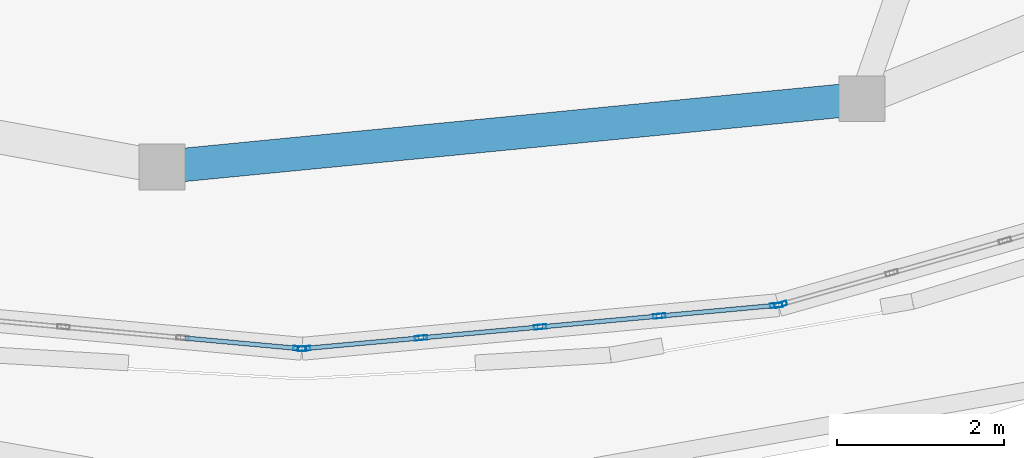
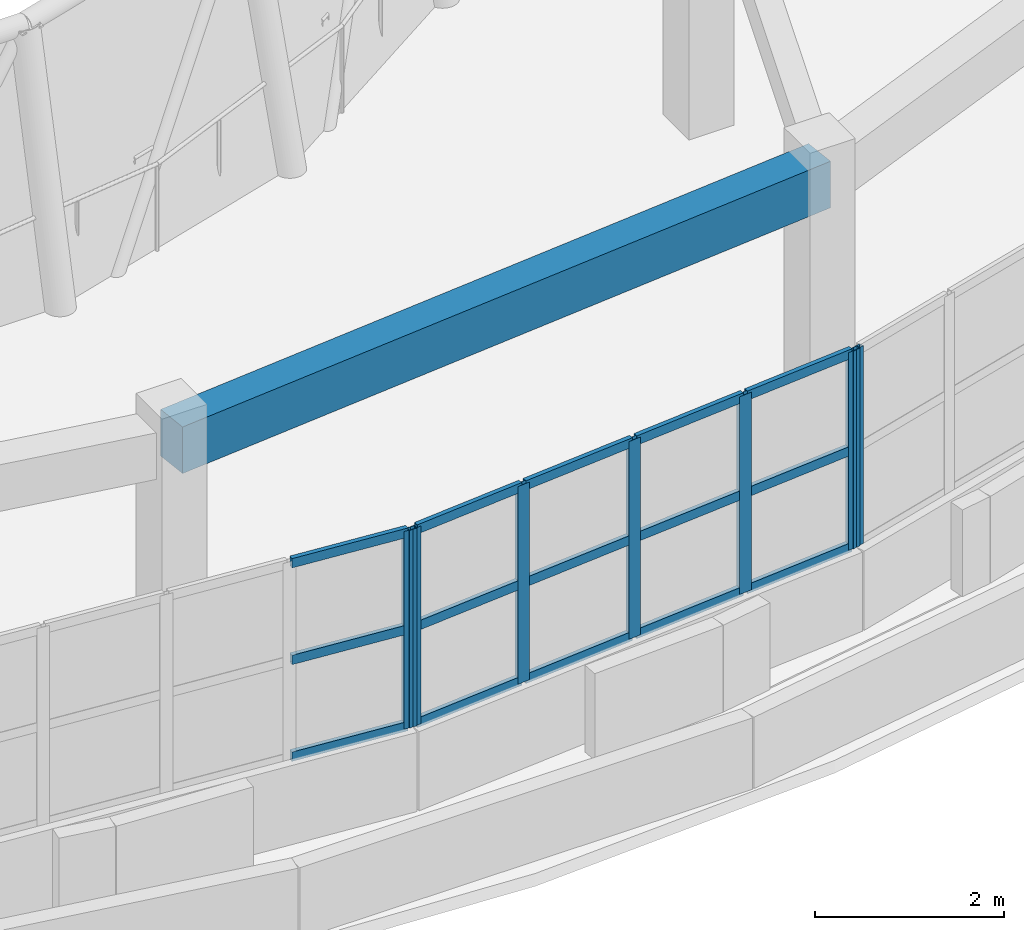
# One storey, part 3 of 46: 22 members, 1 beam, 3 elements without a shape of their own.
"""IFC4 building model written with IfcOpenShell, lengths in metres."""

from ifc_helpers import new_model, si_unit, direction, frame, origin, origin_2d, place, context, subcontext, project, spatial, rectangle, hollow_rectangle, extrude, material, layer, layer_set, material_profile, profile_set, type_object, element, aggregate, save


model = new_model("IFC4")

# Units and contexts
model_context = context("Model", 3, precision=1e-05, world=origin(), true_north=direction((0.0, 1.0)))
body_context = subcontext(model_context, "Body", "Model", "MODEL_VIEW")
ifc_project = project(units=[si_unit("LENGTHUNIT", "METRE"), si_unit("AREAUNIT", "SQUARE_METRE"), si_unit("VOLUMEUNIT", "CUBIC_METRE"), si_unit("PLANEANGLEUNIT", "RADIAN"), si_unit("MASSUNIT", "GRAM", prefix="KILO")], contexts=[model_context])

# Site, building, storey
site_placement = place(None, origin())
site = spatial("IfcSite", under=ifc_project, at=site_placement, CompositionType="ELEMENT")
building_placement = place(site_placement, origin())
building = spatial("IfcBuilding", under=site, at=building_placement, Name="Pelvatis Terrace Science Centre", CompositionType="ELEMENT")
storey_placement = place(building_placement, frame((0.0, 0.0, 19.800048828125)))
storey = spatial("IfcBuildingStorey", under=building, at=storey_placement, Name="L04", CompositionType="ELEMENT", Elevation=19.800048828125)

# Beam
ifc_material_1 = material(Name="Concrete C35/45", Category="concrete")
ifc_material_profile_1 = material_profile(ifc_material_1, rectangle(XDim=0.39990234375, YDim=0.60009765625, at=origin_2d()), Name="RC-BM 400x600")
ifc_profile_set_1 = profile_set([ifc_material_profile_1], Name="Concrete C35/45")
beam_type = type_object("IfcBeamType", Name="BM-RC-400x600", PredefinedType="BEAM", material=ifc_profile_set_1)
beam_placement = place(storey_placement, frame((107.92822265625, 65.926513671875, 3.949951171875), z_axis=(0.995278325495, 0.097062118249, 0.0), x_axis=(-0.097062118249, 0.995278325495, 0.0)))
element("IfcBeam", 1, at=beam_placement, inside=storey, type_object=beam_type, Name="Beam BM-L04-3096", PredefinedType="BEAM", context=body_context, shape_type="SweptSolid", body=[
    extrude(rectangle(XDim=0.39990234375, YDim=0.60009765625, at=origin_2d()), origin(), (0.0, 0.0, 1.0), 8.416259765625),
])

# Curtain wall, member
ifc_material_2 = material(Name="Bronze-anodised aluminium and laminated glass", Category="aluminium")
ifc_layer = layer(ifc_material_2, 0.14990234375)
ifc_layer_set = layer_set([ifc_layer], Name="Bronze-anodised aluminium and laminated glass")
curtain_wall_type = type_object("IfcCurtainWallType", Name="CW-PASSAGE-C", PredefinedType="NOTDEFINED", material=ifc_layer_set)
curtain_wall_1_placement = place(storey_placement, origin())
curtain_wall_1 = element("IfcCurtainWall", 2, at=curtain_wall_1_placement, inside=storey, type_object=curtain_wall_type, Name="Ribbon curtain wall CW-231 (L04)", PredefinedType="NOTDEFINED")
ifc_material_3 = material(Name="Bronze-anodised aluminium 6063-T6", Category="aluminium")
ifc_material_profile_2 = material_profile(ifc_material_3, hollow_rectangle(XDim=0.054931640625, YDim=0.14990234375, WallThickness=0.00390625, at=origin_2d()), Name="ALU-MUL 55x150")
ifc_profile_set_2 = profile_set([ifc_material_profile_2], Name="Bronze-anodised aluminium 6063-T6")
member_type_1 = type_object("IfcMemberType", Name="CWM-55x150", PredefinedType="MULLION", material=ifc_profile_set_2)
member_1_placement = place(storey_placement, frame((109.572509765625, 63.75244140625, 1.02001953125), z_axis=(0.0, 0.0, 1.0), x_axis=(0.09121373299, 0.995831338588, 0.0)))
member_1 = element("IfcMember", 3, at=member_1_placement, type_object=member_type_1, Name="CW-231 mullion 5", PredefinedType="MULLION", context=body_context, shape_type="SweptSolid", body=[
    extrude(hollow_rectangle(XDim=0.054931640625, YDim=0.14990234375, WallThickness=0.00390625, at=origin_2d()), origin(), (0.0, 0.0, 1.0), 2.550048828125),
])

# Curtain wall, members
curtain_wall_2_placement = place(storey_placement, origin())
curtain_wall_2 = element("IfcCurtainWall", 4, at=curtain_wall_2_placement, inside=storey, type_object=curtain_wall_type, Name="Ribbon curtain wall CW-232 (L04)", PredefinedType="NOTDEFINED")
member_2_placement = place(storey_placement, frame((109.62744140625, 63.75244140625, 1.02001953125), z_axis=(0.0, 0.0, 1.0), x_axis=(-0.09121373299, 0.995831338588, 0.0)))
member_2 = element("IfcMember", 5, at=member_2_placement, type_object=member_type_1, Name="CW-232 mullion 1", PredefinedType="MULLION", context=body_context, shape_type="SweptSolid", body=[
    extrude(hollow_rectangle(XDim=0.054931640625, YDim=0.14990234375, WallThickness=0.00390625, at=origin_2d()), origin(), (0.0, 0.0, 1.0), 2.550048828125),
])
member_3_placement = place(storey_placement, frame((111.02685546875, 63.880615234375, 1.02001953125), z_axis=(0.0, 0.0, 1.0), x_axis=(-0.09121373299, 0.995831338588, 0.0)))
member_3 = element("IfcMember", 6, at=member_3_placement, type_object=member_type_1, Name="CW-232 mullion 2", PredefinedType="MULLION", context=body_context, shape_type="SweptSolid", body=[
    extrude(hollow_rectangle(XDim=0.054931640625, YDim=0.14990234375, WallThickness=0.00390625, at=origin_2d()), origin(), (0.0, 0.0, 1.0), 2.550048828125),
])
member_4_placement = place(storey_placement, frame((112.453857421875, 64.011474609375, 1.02001953125), z_axis=(0.0, 0.0, 1.0), x_axis=(-0.09121373299, 0.995831338588, 0.0)))
member_4 = element("IfcMember", 7, at=member_4_placement, type_object=member_type_1, Name="CW-232 mullion 3", PredefinedType="MULLION", context=body_context, shape_type="SweptSolid", body=[
    extrude(hollow_rectangle(XDim=0.054931640625, YDim=0.14990234375, WallThickness=0.00390625, at=origin_2d()), origin(), (0.0, 0.0, 1.0), 2.550048828125),
])
member_5_placement = place(storey_placement, frame((113.880859375, 64.14208984375, 1.02001953125), z_axis=(0.0, 0.0, 1.0), x_axis=(-0.09121373299, 0.995831338588, 0.0)))
member_5 = element("IfcMember", 8, at=member_5_placement, type_object=member_type_1, Name="CW-232 mullion 4", PredefinedType="MULLION", context=body_context, shape_type="SweptSolid", body=[
    extrude(hollow_rectangle(XDim=0.054931640625, YDim=0.14990234375, WallThickness=0.00390625, at=origin_2d()), origin(), (0.0, 0.0, 1.0), 2.550048828125),
])
member_6_placement = place(storey_placement, frame((115.2802734375, 64.270263671875, 1.02001953125), z_axis=(0.0, 0.0, 1.0), x_axis=(-0.09121373299, 0.995831338588, 0.0)))
member_6 = element("IfcMember", 9, at=member_6_placement, type_object=member_type_1, Name="CW-232 mullion 5", PredefinedType="MULLION", context=body_context, shape_type="SweptSolid", body=[
    extrude(hollow_rectangle(XDim=0.054931640625, YDim=0.14990234375, WallThickness=0.00390625, at=origin_2d()), origin(), (0.0, 0.0, 1.0), 2.550048828125),
])

# Curtain wall, member
curtain_wall_3_placement = place(storey_placement, origin())
curtain_wall_3 = element("IfcCurtainWall", 10, at=curtain_wall_3_placement, inside=storey, type_object=curtain_wall_type, Name="Ribbon curtain wall CW-233 (L04)", PredefinedType="NOTDEFINED")
member_7_placement = place(storey_placement, frame((115.334228515625, 64.2802734375, 1.02001953125), z_axis=(0.0, 0.0, 1.0), x_axis=(-0.273577429116, 0.96184998325, 0.0)))
member_7 = element("IfcMember", 11, at=member_7_placement, type_object=member_type_1, Name="CW-233 mullion 1", PredefinedType="MULLION", context=body_context, shape_type="SweptSolid", body=[
    extrude(hollow_rectangle(XDim=0.054931640625, YDim=0.14990234375, WallThickness=0.00390625, at=origin_2d()), origin(), (0.0, 0.0, 1.0), 2.550048828125),
])
aggregate(curtain_wall_3, [member_7])

# Member
ifc_material_4 = material(Name="Bronze-anodised aluminium 6063-T6", Category="aluminium")
ifc_material_profile_3 = material_profile(ifc_material_4, hollow_rectangle(XDim=0.054931640625, YDim=0.1201171875, WallThickness=0.00341796875, at=origin_2d()), Name="ALU-TRN 55x120")
ifc_profile_set_3 = profile_set([ifc_material_profile_3], Name="Bronze-anodised aluminium 6063-T6")
member_type_2 = type_object("IfcMemberType", Name="CWT-55x120", PredefinedType="USERDEFINED", material=ifc_profile_set_3)
member_8_placement = place(storey_placement, frame((108.200439453125, 63.878173828125, 1.04736328125), z_axis=(0.995839683098, -0.091122585382, 0.0), x_axis=(0.091122585382, 0.995839683098, 0.0)))
member_8 = element("IfcMember", 12, at=member_8_placement, type_object=member_type_2, Name="CW-231 transom 4.1", ObjectType="TRANSOM", PredefinedType="USERDEFINED", context=body_context, shape_type="SweptSolid", body=[
    extrude(hollow_rectangle(XDim=0.054931640625, YDim=0.1201171875, WallThickness=0.00341796875, at=origin_2d()), origin(), (0.0, 0.0, 1.0), 1.350341796875),
])

member_9_placement = place(storey_placement, frame((108.200439453125, 63.878173828125, 2.294921875), z_axis=(0.995839683098, -0.091122585382, 0.0), x_axis=(0.091122585382, 0.995839683098, 0.0)))
member_9 = element("IfcMember", 13, at=member_9_placement, type_object=member_type_2, Name="CW-231 transom 4.2", ObjectType="TRANSOM", PredefinedType="USERDEFINED", context=body_context, shape_type="SweptSolid", body=[
    extrude(hollow_rectangle(XDim=0.054931640625, YDim=0.1201171875, WallThickness=0.00341796875, at=origin_2d()), origin(), (0.0, 0.0, 1.0), 1.350341796875),
])

member_10_placement = place(storey_placement, frame((108.200439453125, 63.878173828125, 3.54248046875), z_axis=(0.995839683098, -0.091122585382, 0.0), x_axis=(0.091122585382, 0.995839683098, 0.0)))
member_10 = element("IfcMember", 14, at=member_10_placement, type_object=member_type_2, Name="CW-231 transom 4.3", ObjectType="TRANSOM", PredefinedType="USERDEFINED", context=body_context, shape_type="SweptSolid", body=[
    extrude(hollow_rectangle(XDim=0.054931640625, YDim=0.1201171875, WallThickness=0.00341796875, at=origin_2d()), origin(), (0.0, 0.0, 1.0), 1.350341796875),
])

aggregate(curtain_wall_1, [member_1, member_8, member_9, member_10])

member_11_placement = place(storey_placement, frame((109.65478515625, 63.755126953125, 1.04736328125), z_axis=(0.995839683098, 0.091122585382, 0.0), x_axis=(-0.091122585382, 0.995839683098, 0.0)))
member_11 = element("IfcMember", 15, at=member_11_placement, type_object=member_type_2, Name="CW-232 transom 1.1", ObjectType="TRANSOM", PredefinedType="USERDEFINED", context=body_context, shape_type="SweptSolid", body=[
    extrude(hollow_rectangle(XDim=0.054931640625, YDim=0.1201171875, WallThickness=0.00341796875, at=origin_2d()), origin(), (0.0, 0.0, 1.0), 1.350341796875),
])

member_12_placement = place(storey_placement, frame((109.65478515625, 63.755126953125, 2.294921875), z_axis=(0.995839683098, 0.091122585382, 0.0), x_axis=(-0.091122585382, 0.995839683098, 0.0)))
member_12 = element("IfcMember", 16, at=member_12_placement, type_object=member_type_2, Name="CW-232 transom 1.2", ObjectType="TRANSOM", PredefinedType="USERDEFINED", context=body_context, shape_type="SweptSolid", body=[
    extrude(hollow_rectangle(XDim=0.054931640625, YDim=0.1201171875, WallThickness=0.00341796875, at=origin_2d()), origin(), (0.0, 0.0, 1.0), 1.350341796875),
])

member_13_placement = place(storey_placement, frame((109.65478515625, 63.755126953125, 3.54248046875), z_axis=(0.995839683098, 0.091122585382, 0.0), x_axis=(-0.091122585382, 0.995839683098, 0.0)))
member_13 = element("IfcMember", 17, at=member_13_placement, type_object=member_type_2, Name="CW-232 transom 1.3", ObjectType="TRANSOM", PredefinedType="USERDEFINED", context=body_context, shape_type="SweptSolid", body=[
    extrude(hollow_rectangle(XDim=0.054931640625, YDim=0.1201171875, WallThickness=0.00341796875, at=origin_2d()), origin(), (0.0, 0.0, 1.0), 1.350341796875),
])

member_14_placement = place(storey_placement, frame((111.05419921875, 63.88330078125, 1.04736328125), z_axis=(0.995845145244, 0.091062872203, 0.0), x_axis=(-0.091062872203, 0.995845145244, 0.0)))
member_14 = element("IfcMember", 18, at=member_14_placement, type_object=member_type_2, Name="CW-232 transom 2.1", ObjectType="TRANSOM", PredefinedType="USERDEFINED", context=body_context, shape_type="SweptSolid", body=[
    extrude(hollow_rectangle(XDim=0.054931640625, YDim=0.1201171875, WallThickness=0.00341796875, at=origin_2d()), origin(), (0.0, 0.0, 1.0), 1.3779296875),
])

member_15_placement = place(storey_placement, frame((111.05419921875, 63.88330078125, 2.294921875), z_axis=(0.995845145244, 0.091062872203, 0.0), x_axis=(-0.091062872203, 0.995845145244, 0.0)))
member_15 = element("IfcMember", 19, at=member_15_placement, type_object=member_type_2, Name="CW-232 transom 2.2", ObjectType="TRANSOM", PredefinedType="USERDEFINED", context=body_context, shape_type="SweptSolid", body=[
    extrude(hollow_rectangle(XDim=0.054931640625, YDim=0.1201171875, WallThickness=0.00341796875, at=origin_2d()), origin(), (0.0, 0.0, 1.0), 1.3779296875),
])

member_16_placement = place(storey_placement, frame((111.05419921875, 63.88330078125, 3.54248046875), z_axis=(0.995845145244, 0.091062872203, 0.0), x_axis=(-0.091062872203, 0.995845145244, 0.0)))
member_16 = element("IfcMember", 20, at=member_16_placement, type_object=member_type_2, Name="CW-232 transom 2.3", ObjectType="TRANSOM", PredefinedType="USERDEFINED", context=body_context, shape_type="SweptSolid", body=[
    extrude(hollow_rectangle(XDim=0.054931640625, YDim=0.1201171875, WallThickness=0.00341796875, at=origin_2d()), origin(), (0.0, 0.0, 1.0), 1.3779296875),
])

member_17_placement = place(storey_placement, frame((112.481201171875, 64.013916015625, 1.04736328125), z_axis=(0.995827588698, 0.091254663377, 0.0), x_axis=(-0.091254663377, 0.995827588698, 0.0)))
member_17 = element("IfcMember", 21, at=member_17_placement, type_object=member_type_2, Name="CW-232 transom 3.1", ObjectType="TRANSOM", PredefinedType="USERDEFINED", context=body_context, shape_type="SweptSolid", body=[
    extrude(hollow_rectangle(XDim=0.054931640625, YDim=0.1201171875, WallThickness=0.00341796875, at=origin_2d()), origin(), (0.0, 0.0, 1.0), 1.3779296875),
])

member_18_placement = place(storey_placement, frame((112.481201171875, 64.013916015625, 2.294921875), z_axis=(0.995827588698, 0.091254663377, 0.0), x_axis=(-0.091254663377, 0.995827588698, 0.0)))
member_18 = element("IfcMember", 22, at=member_18_placement, type_object=member_type_2, Name="CW-232 transom 3.2", ObjectType="TRANSOM", PredefinedType="USERDEFINED", context=body_context, shape_type="SweptSolid", body=[
    extrude(hollow_rectangle(XDim=0.054931640625, YDim=0.1201171875, WallThickness=0.00341796875, at=origin_2d()), origin(), (0.0, 0.0, 1.0), 1.3779296875),
])

member_19_placement = place(storey_placement, frame((112.481201171875, 64.013916015625, 3.54248046875), z_axis=(0.995827588698, 0.091254663377, 0.0), x_axis=(-0.091254663377, 0.995827588698, 0.0)))
member_19 = element("IfcMember", 23, at=member_19_placement, type_object=member_type_2, Name="CW-232 transom 3.3", ObjectType="TRANSOM", PredefinedType="USERDEFINED", context=body_context, shape_type="SweptSolid", body=[
    extrude(hollow_rectangle(XDim=0.054931640625, YDim=0.1201171875, WallThickness=0.00341796875, at=origin_2d()), origin(), (0.0, 0.0, 1.0), 1.3779296875),
])

member_20_placement = place(storey_placement, frame((113.908203125, 64.14453125, 1.04736328125), z_axis=(0.995823260917, 0.091301878497, 0.0), x_axis=(-0.091301878497, 0.995823260917, 0.0)))
member_20 = element("IfcMember", 24, at=member_20_placement, type_object=member_type_2, Name="CW-232 transom 4.1", ObjectType="TRANSOM", PredefinedType="USERDEFINED", context=body_context, shape_type="SweptSolid", body=[
    extrude(hollow_rectangle(XDim=0.054931640625, YDim=0.1201171875, WallThickness=0.00341796875, at=origin_2d()), origin(), (0.0, 0.0, 1.0), 1.350341796875),
])

member_21_placement = place(storey_placement, frame((113.908203125, 64.14453125, 2.294921875), z_axis=(0.995823260917, 0.091301878497, 0.0), x_axis=(-0.091301878497, 0.995823260917, 0.0)))
member_21 = element("IfcMember", 25, at=member_21_placement, type_object=member_type_2, Name="CW-232 transom 4.2", ObjectType="TRANSOM", PredefinedType="USERDEFINED", context=body_context, shape_type="SweptSolid", body=[
    extrude(hollow_rectangle(XDim=0.054931640625, YDim=0.1201171875, WallThickness=0.00341796875, at=origin_2d()), origin(), (0.0, 0.0, 1.0), 1.350341796875),
])

member_22_placement = place(storey_placement, frame((113.908203125, 64.14453125, 3.54248046875), z_axis=(0.995823260917, 0.091301878497, 0.0), x_axis=(-0.091301878497, 0.995823260917, 0.0)))
member_22 = element("IfcMember", 26, at=member_22_placement, type_object=member_type_2, Name="CW-232 transom 4.3", ObjectType="TRANSOM", PredefinedType="USERDEFINED", context=body_context, shape_type="SweptSolid", body=[
    extrude(hollow_rectangle(XDim=0.054931640625, YDim=0.1201171875, WallThickness=0.00341796875, at=origin_2d()), origin(), (0.0, 0.0, 1.0), 1.350341796875),
])

aggregate(curtain_wall_2, [member_2, member_3, member_4, member_5, member_6, member_11, member_12, member_13, member_14, member_15, member_16, member_17, member_18, member_19, member_20, member_21, member_22])

save(model, "model.ifc")
